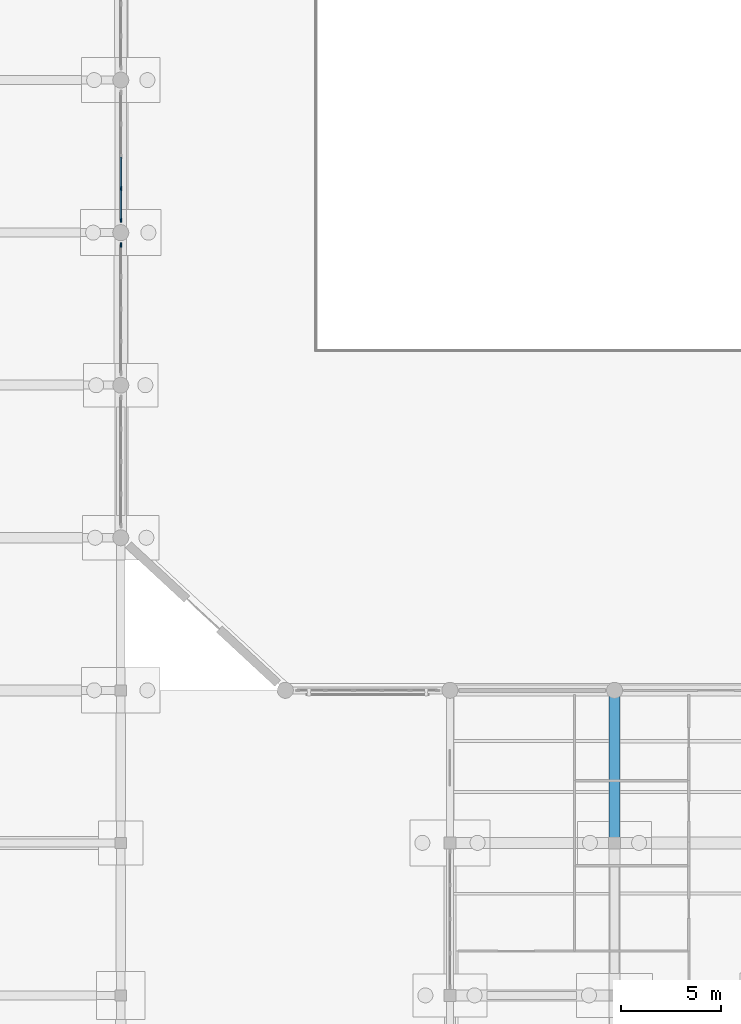
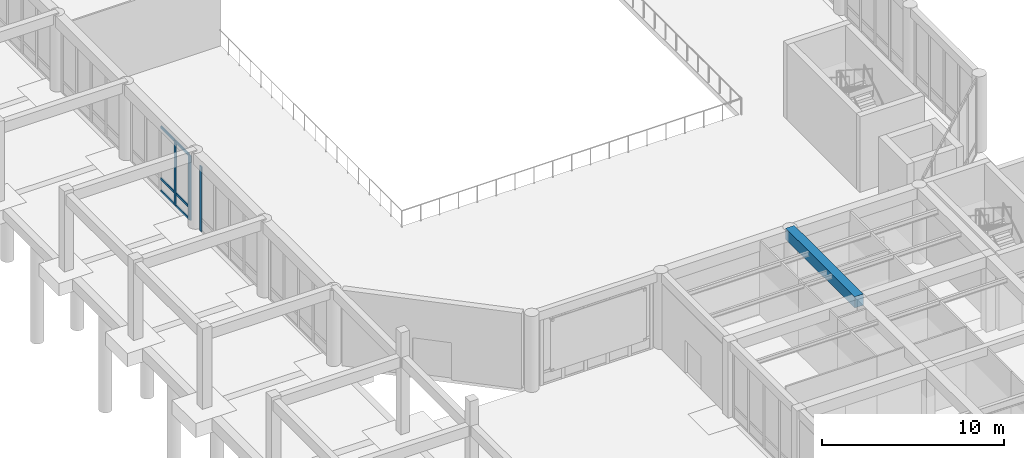
# One storey, part 15 of 64: 9 members, 1 beam, 2 elements without a shape of their own.
"""IFC4 building model written with IfcOpenShell, lengths in metres."""

from ifc_helpers import new_model, si_unit, direction, frame, origin, origin_2d, place, context, subcontext, project, spatial, rectangle, extrude, material, material_profile, profile_set, type_object, element, aggregate, save


model = new_model("IFC4")

# Units and contexts
model_context = context("Model", 3, precision=1e-05, world=origin(), true_north=direction((0.0, 1.0)))
body_context = subcontext(model_context, "Body", "Model", "MODEL_VIEW")
ifc_project = project(units=[si_unit("LENGTHUNIT", "METRE"), si_unit("AREAUNIT", "SQUARE_METRE"), si_unit("VOLUMEUNIT", "CUBIC_METRE"), si_unit("PLANEANGLEUNIT", "RADIAN"), si_unit("MASSUNIT", "GRAM", prefix="KILO")], contexts=[model_context])

# Site, building, storey
site_placement = place(None, origin())
site = spatial("IfcSite", under=ifc_project, at=site_placement, CompositionType="ELEMENT")
building_placement = place(site_placement, origin())
building = spatial("IfcBuilding", under=site, at=building_placement, Name="Qandaris Square Conservatory and Botanical Centre", CompositionType="ELEMENT")
storey_placement = place(building_placement, origin())
storey = spatial("IfcBuildingStorey", under=building, at=storey_placement, Name="L00", CompositionType="ELEMENT", Elevation=0.0)

# Curtain wall, members
ifc_material_1 = material(Name="Anodised Aluminium", Category="aluminium")
curtain_wall_type = type_object("IfcCurtainWallType", Name="Unitised Curtain Wall CW-1-644x435", PredefinedType="USERDEFINED", material=ifc_material_1)
curtain_wall_1_placement = place(storey_placement, origin())
curtain_wall_1 = element("IfcCurtainWall", 1, at=curtain_wall_1_placement, inside=storey, type_object=curtain_wall_type, Name="Curtain Wall CW-CON-L00-7-5", ObjectType="GLAZED CURTAIN WALL", PredefinedType="USERDEFINED")
ifc_material_profile_1 = material_profile(ifc_material_1, rectangle(XDim=0.074951171875, YDim=0.219970703125, at=origin_2d()), Name="ALU-MUL 75x220")
ifc_profile_set_1 = profile_set([ifc_material_profile_1], Name="Anodised Aluminium")
member_type_1 = type_object("IfcMemberType", Name="Conservatory Heavy Mullion 75x220", PredefinedType="MULLION", material=ifc_profile_set_1)
member_1_placement = place(storey_placement, frame((16.199951171875, 71.989990234375, 0.0), z_axis=(0.0, 0.0, 1.0), x_axis=(1.0, 0.0, 0.0)))
member_1 = element("IfcMember", 2, at=member_1_placement, type_object=member_type_1, Name="CW-1-644x435 mullion 4", PredefinedType="MULLION", context=body_context, shape_type="SweptSolid", body=[
    extrude(rectangle(XDim=0.074951171875, YDim=0.219970703125, at=origin_2d()), origin(), (0.0, 0.0, 1.0), 4.35009765625),
])
member_2_placement = place(storey_placement, frame((16.199951171875, 70.41748046875, 0.0), z_axis=(0.0, 0.0, 1.0), x_axis=(1.0, 0.0, 0.0)))
member_2 = element("IfcMember", 3, at=member_2_placement, type_object=member_type_1, Name="CW-1-644x435 mullion 5", PredefinedType="MULLION", context=body_context, shape_type="SweptSolid", body=[
    extrude(rectangle(XDim=0.074951171875, YDim=0.219970703125, at=origin_2d()), origin(), (0.0, 0.0, 1.0), 4.35009765625),
])

# Curtain wall, member
curtain_wall_2_placement = place(storey_placement, origin())
curtain_wall_2 = element("IfcCurtainWall", 4, at=curtain_wall_2_placement, inside=storey, type_object=curtain_wall_type, Name="Curtain Wall CW-CON-L00-7-6", ObjectType="GLAZED CURTAIN WALL", PredefinedType="USERDEFINED")
member_3_placement = place(storey_placement, frame((16.199951171875, 69.1826171875, 0.0), z_axis=(0.0, 0.0, 1.0), x_axis=(1.0, 0.0, 0.0)))
member_3 = element("IfcMember", 5, at=member_3_placement, type_object=member_type_1, Name="CW-1-644x435 mullion 1", PredefinedType="MULLION", context=body_context, shape_type="SweptSolid", body=[
    extrude(rectangle(XDim=0.074951171875, YDim=0.219970703125, at=origin_2d()), origin(), (0.0, 0.0, 1.0), 4.35009765625),
])
aggregate(curtain_wall_2, [member_3])

# Member
ifc_material_profile_2 = material_profile(ifc_material_1, rectangle(XDim=0.074951171875, YDim=0.159912109375, at=origin_2d()), Name="ALU-TRN 75x160")
ifc_profile_set_2 = profile_set([ifc_material_profile_2], Name="Anodised Aluminium")
member_type_2 = type_object("IfcMemberType", Name="Conservatory Heavy Transom 75x160", PredefinedType="USERDEFINED", material=ifc_profile_set_2)
member_4_placement = place(storey_placement, frame((16.199951171875, 73.5625, 0.03759765625), z_axis=(0.0, -1.0, 0.0), x_axis=(1.0, 0.0, 0.0)))
member_4 = element("IfcMember", 6, at=member_4_placement, type_object=member_type_2, Name="CW-1-644x435 transom 3.1", ObjectType="TRANSOM", PredefinedType="USERDEFINED", context=body_context, shape_type="SweptSolid", body=[
    extrude(rectangle(XDim=0.074951171875, YDim=0.159912109375, at=origin_2d()), origin(), (0.0, 0.0, 1.0), 1.534912109375),
])

member_5_placement = place(storey_placement, frame((16.199951171875, 73.5625, 0.85009765625), z_axis=(0.0, -1.0, 0.0), x_axis=(1.0, 0.0, 0.0)))
member_5 = element("IfcMember", 7, at=member_5_placement, type_object=member_type_2, Name="CW-1-644x435 transom 3.2", ObjectType="TRANSOM", PredefinedType="USERDEFINED", context=body_context, shape_type="SweptSolid", body=[
    extrude(rectangle(XDim=0.074951171875, YDim=0.159912109375, at=origin_2d()), origin(), (0.0, 0.0, 1.0), 1.534912109375),
])

member_6_placement = place(storey_placement, frame((16.199951171875, 73.5625, 4.3125), z_axis=(0.0, -1.0, 0.0), x_axis=(1.0, 0.0, 0.0)))
member_6 = element("IfcMember", 8, at=member_6_placement, type_object=member_type_2, Name="CW-1-644x435 transom 3.3", ObjectType="TRANSOM", PredefinedType="USERDEFINED", context=body_context, shape_type="SweptSolid", body=[
    extrude(rectangle(XDim=0.074951171875, YDim=0.159912109375, at=origin_2d()), origin(), (0.0, 0.0, 1.0), 1.534912109375),
])

member_7_placement = place(storey_placement, frame((16.199951171875, 71.952392578125, 0.03759765625), z_axis=(0.0, -1.0, 0.0), x_axis=(1.0, 0.0, 0.0)))
member_7 = element("IfcMember", 9, at=member_7_placement, type_object=member_type_2, Name="CW-1-644x435 transom 4.1", ObjectType="TRANSOM", PredefinedType="USERDEFINED", context=body_context, shape_type="SweptSolid", body=[
    extrude(rectangle(XDim=0.074951171875, YDim=0.159912109375, at=origin_2d()), origin(), (0.0, 0.0, 1.0), 1.497314453125),
])

member_8_placement = place(storey_placement, frame((16.199951171875, 71.952392578125, 0.85009765625), z_axis=(0.0, -1.0, 0.0), x_axis=(1.0, 0.0, 0.0)))
member_8 = element("IfcMember", 10, at=member_8_placement, type_object=member_type_2, Name="CW-1-644x435 transom 4.2", ObjectType="TRANSOM", PredefinedType="USERDEFINED", context=body_context, shape_type="SweptSolid", body=[
    extrude(rectangle(XDim=0.074951171875, YDim=0.159912109375, at=origin_2d()), origin(), (0.0, 0.0, 1.0), 1.497314453125),
])

member_9_placement = place(storey_placement, frame((16.199951171875, 71.952392578125, 4.3125), z_axis=(0.0, -1.0, 0.0), x_axis=(1.0, 0.0, 0.0)))
member_9 = element("IfcMember", 11, at=member_9_placement, type_object=member_type_2, Name="CW-1-644x435 transom 4.3", ObjectType="TRANSOM", PredefinedType="USERDEFINED", context=body_context, shape_type="SweptSolid", body=[
    extrude(rectangle(XDim=0.074951171875, YDim=0.159912109375, at=origin_2d()), origin(), (0.0, 0.0, 1.0), 1.497314453125),
])

aggregate(curtain_wall_1, [member_1, member_2, member_4, member_5, member_6, member_7, member_8, member_9])

# Beam
ifc_material_2 = material(Name="Concrete C50/60", Category="concrete")
ifc_material_profile_3 = material_profile(ifc_material_2, rectangle(XDim=0.550048828125, YDim=0.75, at=origin_2d()), Name="RC-BM 550x750")
ifc_profile_set_3 = profile_set([ifc_material_profile_3], Name="Concrete C50/60")
beam_type = type_object("IfcBeamType", Name="RC Plinth Girder 550x750", PredefinedType="BEAM", material=ifc_profile_set_3)
beam_placement = place(storey_placement, frame((40.800048828125, 39.39990234375, 4.72509765625), z_axis=(0.0, 1.0, 0.0), x_axis=(-1.0, 0.0, 0.0)))
element("IfcBeam", 12, at=beam_placement, inside=storey, type_object=beam_type, Name="L00 Frame Beam 0540", PredefinedType="BEAM", context=body_context, shape_type="SweptSolid", body=[
    extrude(rectangle(XDim=0.550048828125, YDim=0.75, at=origin_2d()), origin(), (0.0, 0.0, 1.0), 7.60009765625),
])

save(model, "model.ifc")
